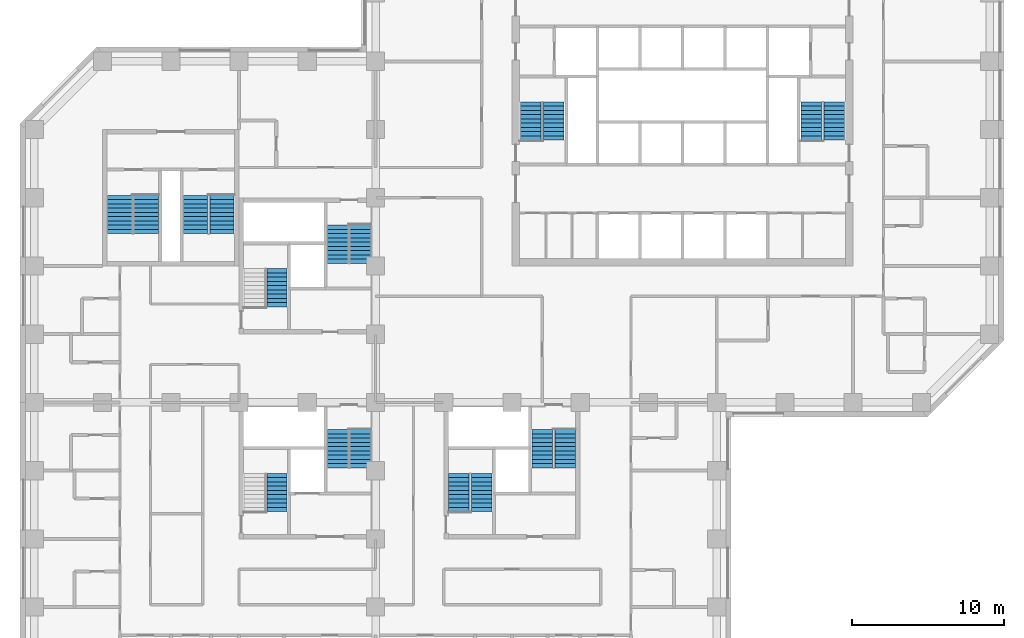
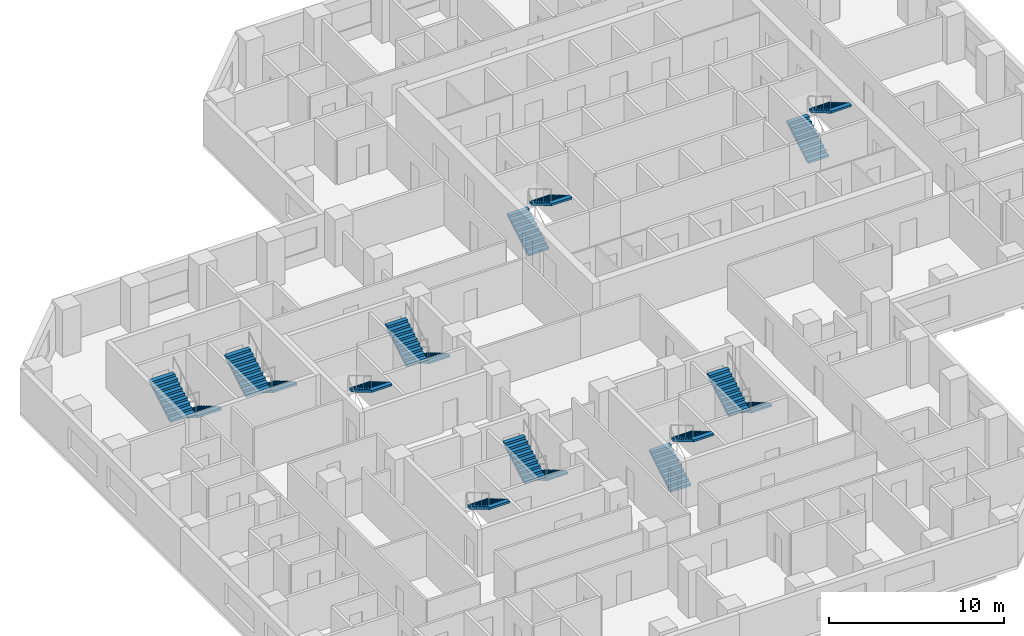
# One storey, part 11 of 12: 18 stair flights, 10 elements without a shape of their own.
"""IFC4 building model written with IfcOpenShell, lengths in metres."""

from ifc_helpers import new_model, si_unit, direction, frame, origin, place, context, subcontext, project, spatial, polyline, outline, extrude, material, type_object, element, aggregate, save


model = new_model("IFC4")

# Units and contexts
model_context = context("Model", 3, precision=1e-05, world=origin(), true_north=direction((0.0, 1.0)))
body_context = subcontext(model_context, "Body", "Model", "MODEL_VIEW")
ifc_project = project(units=[si_unit("LENGTHUNIT", "METRE"), si_unit("AREAUNIT", "SQUARE_METRE"), si_unit("VOLUMEUNIT", "CUBIC_METRE"), si_unit("PLANEANGLEUNIT", "RADIAN"), si_unit("MASSUNIT", "GRAM", prefix="KILO")], contexts=[model_context])

# Site, building, storey
site_placement = place(None, origin())
site = spatial("IfcSite", under=ifc_project, at=site_placement, CompositionType="ELEMENT")
building_placement = place(site_placement, origin())
building = spatial("IfcBuilding", under=site, at=building_placement, Name="Quoin Convention Tower", CompositionType="ELEMENT")
storey_placement = place(building_placement, frame((0.0, 0.0, 56.10009765625)))
storey = spatial("IfcBuildingStorey", under=building, at=storey_placement, Name="L14", CompositionType="ELEMENT", Elevation=56.10009765625)

# Stair, stair flights
ifc_material = material(Name="Concrete C40", Category="concrete")
stair_type_1 = type_object("IfcStairType", Name="Exit stair two-flight 1350", PredefinedType="HALF_TURN_STAIR", material=ifc_material)
stair_1_placement = place(storey_placement, origin())
stair_1 = element("IfcStair", 1, at=stair_1_placement, inside=storey, type_object=stair_type_1, Name="SD1 L14", PredefinedType="HALF_TURN_STAIR")
stair_flight_type_1 = type_object("IfcStairFlightType", Name="Stair flight 1350", PredefinedType="STRAIGHT", material=ifc_material)
stair_flight_1_placement = place(storey_placement, frame((46.25, 57.800048828125, 0.0), z_axis=(0.0, 0.0, 1.0), x_axis=(0.0, 1.0, 0.0)))
stair_flight_1 = element("IfcStairFlight", 2, at=stair_flight_1_placement, type_object=stair_flight_type_1, Name="ST1 flight 1", NumberOfRisers=10, NumberOfTreads=9, PredefinedType="STRAIGHT", RiserHeight=0.165, TreadLength=0.28, context=body_context, shape_type="SweptSolid", body=[
    extrude(outline(polyline([(0.0, 0.0), (0.0, 0.1650390625), (0.280029296875, 0.1650390625), (0.280029296875, 0.330078125), (0.56005859375, 0.330078125), (0.56005859375, 0.4951171875), (0.840087890625, 0.4951171875), (0.840087890625, 0.659912109375), (1.1201171875, 0.659912109375), (1.1201171875, 0.824951171875), (1.39990234375, 0.824951171875), (1.39990234375, 0.989990234375), (1.679931640625, 0.989990234375), (1.679931640625, 1.155029296875), (1.9599609375, 1.155029296875), (1.9599609375, 1.320068359375), (2.239990234375, 1.320068359375), (2.239990234375, 1.485107421875), (2.52001953125, 1.485107421875), (2.52001953125, 1.64990234375), (2.52001953125, 1.345458984375), (0.236572265625, 0.0), (0.0, 0.0)])), frame((0.0, 0.675048828125, 0.0), z_axis=(0.0, -1.0, 0.0), x_axis=(1.0, 0.0, 0.0)), (0.0, 0.0, 1.0), 1.35009765625),
])
stair_flight_2_placement = place(storey_placement, frame((47.75, 60.320068359375, 1.64990234375), z_axis=(0.0, 0.0, 1.0), x_axis=(0.0, -1.0, 0.0)))
stair_flight_2 = element("IfcStairFlight", 3, at=stair_flight_2_placement, type_object=stair_flight_type_1, Name="ST1 flight 2", NumberOfRisers=10, NumberOfTreads=9, PredefinedType="STRAIGHT", RiserHeight=0.165, TreadLength=0.28, context=body_context, shape_type="SweptSolid", body=[
    extrude(outline(polyline([(0.0, 0.0), (0.0, 0.1650390625), (0.280029296875, 0.1650390625), (0.280029296875, 0.330078125), (0.56005859375, 0.330078125), (0.56005859375, 0.4951171875), (0.840087890625, 0.4951171875), (0.840087890625, 0.659912109375), (1.1201171875, 0.659912109375), (1.1201171875, 0.824951171875), (1.39990234375, 0.824951171875), (1.39990234375, 0.989990234375), (1.679931640625, 0.989990234375), (1.679931640625, 1.155029296875), (1.9599609375, 1.155029296875), (1.9599609375, 1.320068359375), (2.239990234375, 1.320068359375), (2.239990234375, 1.485107421875), (2.52001953125, 1.485107421875), (2.52001953125, 1.64990234375), (2.52001953125, 1.345458984375), (0.236572265625, 0.0), (0.0, 0.0)])), frame((0.0, 0.675048828125, 0.0), z_axis=(0.0, -1.0, 0.0), x_axis=(1.0, 0.0, 0.0)), (0.0, 0.0, 1.0), 1.35009765625),
])
aggregate(stair_1, [stair_flight_1, stair_flight_2])

stair_2_placement = place(storey_placement, origin())
stair_2 = element("IfcStair", 4, at=stair_2_placement, inside=storey, type_object=stair_type_1, Name="SD2 L14", PredefinedType="HALF_TURN_STAIR")
stair_flight_3_placement = place(storey_placement, frame((64.75, 57.800048828125, 0.0), z_axis=(0.0, 0.0, 1.0), x_axis=(0.0, 1.0, 0.0)))
stair_flight_3 = element("IfcStairFlight", 5, at=stair_flight_3_placement, type_object=stair_flight_type_1, Name="ST2 flight 1", NumberOfRisers=10, NumberOfTreads=9, PredefinedType="STRAIGHT", RiserHeight=0.165, TreadLength=0.28, context=body_context, shape_type="SweptSolid", body=[
    extrude(outline(polyline([(0.0, 0.0), (0.0, 0.1650390625), (0.280029296875, 0.1650390625), (0.280029296875, 0.330078125), (0.56005859375, 0.330078125), (0.56005859375, 0.4951171875), (0.840087890625, 0.4951171875), (0.840087890625, 0.659912109375), (1.1201171875, 0.659912109375), (1.1201171875, 0.824951171875), (1.39990234375, 0.824951171875), (1.39990234375, 0.989990234375), (1.679931640625, 0.989990234375), (1.679931640625, 1.155029296875), (1.9599609375, 1.155029296875), (1.9599609375, 1.320068359375), (2.239990234375, 1.320068359375), (2.239990234375, 1.485107421875), (2.52001953125, 1.485107421875), (2.52001953125, 1.64990234375), (2.52001953125, 1.345458984375), (0.236572265625, 0.0), (0.0, 0.0)])), frame((0.0, 0.675048828125, 0.0), z_axis=(0.0, -1.0, 0.0), x_axis=(1.0, 0.0, 0.0)), (0.0, 0.0, 1.0), 1.35009765625),
])
stair_flight_4_placement = place(storey_placement, frame((66.25, 60.320068359375, 1.64990234375), z_axis=(0.0, 0.0, 1.0), x_axis=(0.0, -1.0, 0.0)))
stair_flight_4 = element("IfcStairFlight", 6, at=stair_flight_4_placement, type_object=stair_flight_type_1, Name="ST2 flight 2", NumberOfRisers=10, NumberOfTreads=9, PredefinedType="STRAIGHT", RiserHeight=0.165, TreadLength=0.28, context=body_context, shape_type="SweptSolid", body=[
    extrude(outline(polyline([(0.0, 0.0), (0.0, 0.1650390625), (0.280029296875, 0.1650390625), (0.280029296875, 0.330078125), (0.56005859375, 0.330078125), (0.56005859375, 0.4951171875), (0.840087890625, 0.4951171875), (0.840087890625, 0.659912109375), (1.1201171875, 0.659912109375), (1.1201171875, 0.824951171875), (1.39990234375, 0.824951171875), (1.39990234375, 0.989990234375), (1.679931640625, 0.989990234375), (1.679931640625, 1.155029296875), (1.9599609375, 1.155029296875), (1.9599609375, 1.320068359375), (2.239990234375, 1.320068359375), (2.239990234375, 1.485107421875), (2.52001953125, 1.485107421875), (2.52001953125, 1.64990234375), (2.52001953125, 1.345458984375), (0.236572265625, 0.0), (0.0, 0.0)])), frame((0.0, 0.675048828125, 0.0), z_axis=(0.0, -1.0, 0.0), x_axis=(1.0, 0.0, 0.0)), (0.0, 0.0, 1.0), 1.35009765625),
])
aggregate(stair_2, [stair_flight_3, stair_flight_4])

# Stair, stair flight
stair_3_placement = place(storey_placement, origin())
stair_3 = element("IfcStair", 7, at=stair_3_placement, inside=storey, type_object=stair_type_1, Name="SD3 L14", PredefinedType="HALF_TURN_STAIR")
stair_flight_5_placement = place(storey_placement, frame((29.5, 49.320068359375, 1.64990234375), z_axis=(0.0, 0.0, 1.0), x_axis=(0.0, -1.0, 0.0)))
stair_flight_5 = element("IfcStairFlight", 8, at=stair_flight_5_placement, type_object=stair_flight_type_1, Name="ST3 flight 2", NumberOfRisers=10, NumberOfTreads=9, PredefinedType="STRAIGHT", RiserHeight=0.165, TreadLength=0.28, context=body_context, shape_type="SweptSolid", body=[
    extrude(outline(polyline([(0.0, 0.0), (0.0, 0.1650390625), (0.280029296875, 0.1650390625), (0.280029296875, 0.330078125), (0.56005859375, 0.330078125), (0.56005859375, 0.4951171875), (0.840087890625, 0.4951171875), (0.840087890625, 0.659912109375), (1.1201171875, 0.659912109375), (1.1201171875, 0.824951171875), (1.39990234375, 0.824951171875), (1.39990234375, 0.989990234375), (1.679931640625, 0.989990234375), (1.679931640625, 1.155029296875), (1.9599609375, 1.155029296875), (1.9599609375, 1.320068359375), (2.239990234375, 1.320068359375), (2.239990234375, 1.485107421875), (2.52001953125, 1.485107421875), (2.52001953125, 1.64990234375), (2.52001953125, 1.345458984375), (0.236572265625, 0.0), (0.0, 0.0)])), frame((0.0, 0.675048828125, 0.0), z_axis=(0.0, -1.0, 0.0), x_axis=(1.0, 0.0, 0.0)), (0.0, 0.0, 1.0), 1.35009765625),
])
aggregate(stair_3, [stair_flight_5])

# Stair, stair flights
stair_4_placement = place(storey_placement, origin())
stair_4 = element("IfcStair", 9, at=stair_4_placement, inside=storey, type_object=stair_type_1, Name="SD4 L14", PredefinedType="HALF_TURN_STAIR")
stair_flight_6_placement = place(storey_placement, frame((35.0, 52.199951171875, 0.0), z_axis=(0.0, 0.0, 1.0), x_axis=(0.0, -1.0, 0.0)))
stair_flight_6 = element("IfcStairFlight", 10, at=stair_flight_6_placement, type_object=stair_flight_type_1, Name="ST4 flight 1", NumberOfRisers=10, NumberOfTreads=9, PredefinedType="STRAIGHT", RiserHeight=0.165, TreadLength=0.28, context=body_context, shape_type="SweptSolid", body=[
    extrude(outline(polyline([(0.0, 0.0), (0.0, 0.1650390625), (0.280029296875, 0.1650390625), (0.280029296875, 0.330078125), (0.56005859375, 0.330078125), (0.56005859375, 0.4951171875), (0.840087890625, 0.4951171875), (0.840087890625, 0.659912109375), (1.1201171875, 0.659912109375), (1.1201171875, 0.824951171875), (1.39990234375, 0.824951171875), (1.39990234375, 0.989990234375), (1.679931640625, 0.989990234375), (1.679931640625, 1.155029296875), (1.9599609375, 1.155029296875), (1.9599609375, 1.320068359375), (2.239990234375, 1.320068359375), (2.239990234375, 1.485107421875), (2.52001953125, 1.485107421875), (2.52001953125, 1.64990234375), (2.52001953125, 1.345458984375), (0.236572265625, 0.0), (0.0, 0.0)])), frame((0.0, 0.675048828125, 0.0), z_axis=(0.0, -1.0, 0.0), x_axis=(1.0, 0.0, 0.0)), (0.0, 0.0, 1.0), 1.35009765625),
])
stair_flight_7_placement = place(storey_placement, frame((33.5, 49.679931640625, 1.64990234375), z_axis=(0.0, 0.0, 1.0), x_axis=(0.0, 1.0, 0.0)))
stair_flight_7 = element("IfcStairFlight", 11, at=stair_flight_7_placement, type_object=stair_flight_type_1, Name="ST4 flight 2", NumberOfRisers=10, NumberOfTreads=9, PredefinedType="STRAIGHT", RiserHeight=0.165, TreadLength=0.28, context=body_context, shape_type="SweptSolid", body=[
    extrude(outline(polyline([(0.0, 0.0), (0.0, 0.1650390625), (0.280029296875, 0.1650390625), (0.280029296875, 0.330078125), (0.56005859375, 0.330078125), (0.56005859375, 0.4951171875), (0.840087890625, 0.4951171875), (0.840087890625, 0.659912109375), (1.1201171875, 0.659912109375), (1.1201171875, 0.824951171875), (1.39990234375, 0.824951171875), (1.39990234375, 0.989990234375), (1.679931640625, 0.989990234375), (1.679931640625, 1.155029296875), (1.9599609375, 1.155029296875), (1.9599609375, 1.320068359375), (2.239990234375, 1.320068359375), (2.239990234375, 1.485107421875), (2.52001953125, 1.485107421875), (2.52001953125, 1.64990234375), (2.52001953125, 1.345458984375), (0.236572265625, 0.0), (0.0, 0.0)])), frame((0.0, 0.675048828125, 0.0), z_axis=(0.0, -1.0, 0.0), x_axis=(1.0, 0.0, 0.0)), (0.0, 0.0, 1.0), 1.35009765625),
])
aggregate(stair_4, [stair_flight_6, stair_flight_7])

stair_5_placement = place(storey_placement, origin())
stair_5 = element("IfcStair", 12, at=stair_5_placement, inside=storey, type_object=stair_type_1, Name="SD5 L14", PredefinedType="HALF_TURN_STAIR")
stair_flight_8_placement = place(storey_placement, frame((41.5, 33.300048828125, 0.0), z_axis=(0.0, 0.0, 1.0), x_axis=(0.0, 1.0, 0.0)))
stair_flight_8 = element("IfcStairFlight", 13, at=stair_flight_8_placement, type_object=stair_flight_type_1, Name="ST5 flight 1", NumberOfRisers=10, NumberOfTreads=9, PredefinedType="STRAIGHT", RiserHeight=0.165, TreadLength=0.28, context=body_context, shape_type="SweptSolid", body=[
    extrude(outline(polyline([(0.0, 0.0), (0.0, 0.1650390625), (0.280029296875, 0.1650390625), (0.280029296875, 0.330078125), (0.56005859375, 0.330078125), (0.56005859375, 0.4951171875), (0.840087890625, 0.4951171875), (0.840087890625, 0.659912109375), (1.1201171875, 0.659912109375), (1.1201171875, 0.824951171875), (1.39990234375, 0.824951171875), (1.39990234375, 0.989990234375), (1.679931640625, 0.989990234375), (1.679931640625, 1.155029296875), (1.9599609375, 1.155029296875), (1.9599609375, 1.320068359375), (2.239990234375, 1.320068359375), (2.239990234375, 1.485107421875), (2.52001953125, 1.485107421875), (2.52001953125, 1.64990234375), (2.52001953125, 1.345458984375), (0.236572265625, 0.0), (0.0, 0.0)])), frame((0.0, 0.675048828125, 0.0), z_axis=(0.0, -1.0, 0.0), x_axis=(1.0, 0.0, 0.0)), (0.0, 0.0, 1.0), 1.35009765625),
])
stair_flight_9_placement = place(storey_placement, frame((43.0, 35.820068359375, 1.64990234375), z_axis=(0.0, 0.0, 1.0), x_axis=(0.0, -1.0, 0.0)))
stair_flight_9 = element("IfcStairFlight", 14, at=stair_flight_9_placement, type_object=stair_flight_type_1, Name="ST5 flight 2", NumberOfRisers=10, NumberOfTreads=9, PredefinedType="STRAIGHT", RiserHeight=0.165, TreadLength=0.28, context=body_context, shape_type="SweptSolid", body=[
    extrude(outline(polyline([(0.0, 0.0), (0.0, 0.1650390625), (0.280029296875, 0.1650390625), (0.280029296875, 0.330078125), (0.56005859375, 0.330078125), (0.56005859375, 0.4951171875), (0.840087890625, 0.4951171875), (0.840087890625, 0.659912109375), (1.1201171875, 0.659912109375), (1.1201171875, 0.824951171875), (1.39990234375, 0.824951171875), (1.39990234375, 0.989990234375), (1.679931640625, 0.989990234375), (1.679931640625, 1.155029296875), (1.9599609375, 1.155029296875), (1.9599609375, 1.320068359375), (2.239990234375, 1.320068359375), (2.239990234375, 1.485107421875), (2.52001953125, 1.485107421875), (2.52001953125, 1.64990234375), (2.52001953125, 1.345458984375), (0.236572265625, 0.0), (0.0, 0.0)])), frame((0.0, 0.675048828125, 0.0), z_axis=(0.0, -1.0, 0.0), x_axis=(1.0, 0.0, 0.0)), (0.0, 0.0, 1.0), 1.35009765625),
])
aggregate(stair_5, [stair_flight_8, stair_flight_9])

stair_6_placement = place(storey_placement, origin())
stair_6 = element("IfcStair", 15, at=stair_6_placement, inside=storey, type_object=stair_type_1, Name="SD6 L14", PredefinedType="HALF_TURN_STAIR")
stair_flight_10_placement = place(storey_placement, frame((48.5, 38.699951171875, 0.0), z_axis=(0.0, 0.0, 1.0), x_axis=(0.0, -1.0, 0.0)))
stair_flight_10 = element("IfcStairFlight", 16, at=stair_flight_10_placement, type_object=stair_flight_type_1, Name="ST6 flight 1", NumberOfRisers=10, NumberOfTreads=9, PredefinedType="STRAIGHT", RiserHeight=0.165, TreadLength=0.28, context=body_context, shape_type="SweptSolid", body=[
    extrude(outline(polyline([(0.0, 0.0), (0.0, 0.1650390625), (0.280029296875, 0.1650390625), (0.280029296875, 0.330078125), (0.56005859375, 0.330078125), (0.56005859375, 0.4951171875), (0.840087890625, 0.4951171875), (0.840087890625, 0.659912109375), (1.1201171875, 0.659912109375), (1.1201171875, 0.824951171875), (1.39990234375, 0.824951171875), (1.39990234375, 0.989990234375), (1.679931640625, 0.989990234375), (1.679931640625, 1.155029296875), (1.9599609375, 1.155029296875), (1.9599609375, 1.320068359375), (2.239990234375, 1.320068359375), (2.239990234375, 1.485107421875), (2.52001953125, 1.485107421875), (2.52001953125, 1.64990234375), (2.52001953125, 1.345458984375), (0.236572265625, 0.0), (0.0, 0.0)])), frame((0.0, 0.675048828125, 0.0), z_axis=(0.0, -1.0, 0.0), x_axis=(1.0, 0.0, 0.0)), (0.0, 0.0, 1.0), 1.35009765625),
])
stair_flight_11_placement = place(storey_placement, frame((47.0, 36.179931640625, 1.64990234375), z_axis=(0.0, 0.0, 1.0), x_axis=(0.0, 1.0, 0.0)))
stair_flight_11 = element("IfcStairFlight", 17, at=stair_flight_11_placement, type_object=stair_flight_type_1, Name="ST6 flight 2", NumberOfRisers=10, NumberOfTreads=9, PredefinedType="STRAIGHT", RiserHeight=0.165, TreadLength=0.28, context=body_context, shape_type="SweptSolid", body=[
    extrude(outline(polyline([(0.0, 0.0), (0.0, 0.1650390625), (0.280029296875, 0.1650390625), (0.280029296875, 0.330078125), (0.56005859375, 0.330078125), (0.56005859375, 0.4951171875), (0.840087890625, 0.4951171875), (0.840087890625, 0.659912109375), (1.1201171875, 0.659912109375), (1.1201171875, 0.824951171875), (1.39990234375, 0.824951171875), (1.39990234375, 0.989990234375), (1.679931640625, 0.989990234375), (1.679931640625, 1.155029296875), (1.9599609375, 1.155029296875), (1.9599609375, 1.320068359375), (2.239990234375, 1.320068359375), (2.239990234375, 1.485107421875), (2.52001953125, 1.485107421875), (2.52001953125, 1.64990234375), (2.52001953125, 1.345458984375), (0.236572265625, 0.0), (0.0, 0.0)])), frame((0.0, 0.675048828125, 0.0), z_axis=(0.0, -1.0, 0.0), x_axis=(1.0, 0.0, 0.0)), (0.0, 0.0, 1.0), 1.35009765625),
])
aggregate(stair_6, [stair_flight_10, stair_flight_11])

# Stair, stair flight
stair_7_placement = place(storey_placement, origin())
stair_7 = element("IfcStair", 18, at=stair_7_placement, inside=storey, type_object=stair_type_1, Name="SD7 L14", PredefinedType="HALF_TURN_STAIR")
stair_flight_12_placement = place(storey_placement, frame((29.5, 35.820068359375, 1.64990234375), z_axis=(0.0, 0.0, 1.0), x_axis=(0.0, -1.0, 0.0)))
stair_flight_12 = element("IfcStairFlight", 19, at=stair_flight_12_placement, type_object=stair_flight_type_1, Name="ST7 flight 2", NumberOfRisers=10, NumberOfTreads=9, PredefinedType="STRAIGHT", RiserHeight=0.165, TreadLength=0.28, context=body_context, shape_type="SweptSolid", body=[
    extrude(outline(polyline([(0.0, 0.0), (0.0, 0.1650390625), (0.280029296875, 0.1650390625), (0.280029296875, 0.330078125), (0.56005859375, 0.330078125), (0.56005859375, 0.4951171875), (0.840087890625, 0.4951171875), (0.840087890625, 0.659912109375), (1.1201171875, 0.659912109375), (1.1201171875, 0.824951171875), (1.39990234375, 0.824951171875), (1.39990234375, 0.989990234375), (1.679931640625, 0.989990234375), (1.679931640625, 1.155029296875), (1.9599609375, 1.155029296875), (1.9599609375, 1.320068359375), (2.239990234375, 1.320068359375), (2.239990234375, 1.485107421875), (2.52001953125, 1.485107421875), (2.52001953125, 1.64990234375), (2.52001953125, 1.345458984375), (0.236572265625, 0.0), (0.0, 0.0)])), frame((0.0, 0.675048828125, 0.0), z_axis=(0.0, -1.0, 0.0), x_axis=(1.0, 0.0, 0.0)), (0.0, 0.0, 1.0), 1.35009765625),
])
aggregate(stair_7, [stair_flight_12])

# Stair, stair flights
stair_8_placement = place(storey_placement, origin())
stair_8 = element("IfcStair", 20, at=stair_8_placement, inside=storey, type_object=stair_type_1, Name="SD8 L14", PredefinedType="HALF_TURN_STAIR")
stair_flight_13_placement = place(storey_placement, frame((35.0, 38.699951171875, 0.0), z_axis=(0.0, 0.0, 1.0), x_axis=(0.0, -1.0, 0.0)))
stair_flight_13 = element("IfcStairFlight", 21, at=stair_flight_13_placement, type_object=stair_flight_type_1, Name="ST8 flight 1", NumberOfRisers=10, NumberOfTreads=9, PredefinedType="STRAIGHT", RiserHeight=0.165, TreadLength=0.28, context=body_context, shape_type="SweptSolid", body=[
    extrude(outline(polyline([(0.0, 0.0), (0.0, 0.1650390625), (0.280029296875, 0.1650390625), (0.280029296875, 0.330078125), (0.56005859375, 0.330078125), (0.56005859375, 0.4951171875), (0.840087890625, 0.4951171875), (0.840087890625, 0.659912109375), (1.1201171875, 0.659912109375), (1.1201171875, 0.824951171875), (1.39990234375, 0.824951171875), (1.39990234375, 0.989990234375), (1.679931640625, 0.989990234375), (1.679931640625, 1.155029296875), (1.9599609375, 1.155029296875), (1.9599609375, 1.320068359375), (2.239990234375, 1.320068359375), (2.239990234375, 1.485107421875), (2.52001953125, 1.485107421875), (2.52001953125, 1.64990234375), (2.52001953125, 1.345458984375), (0.236572265625, 0.0), (0.0, 0.0)])), frame((0.0, 0.675048828125, 0.0), z_axis=(0.0, -1.0, 0.0), x_axis=(1.0, 0.0, 0.0)), (0.0, 0.0, 1.0), 1.35009765625),
])
stair_flight_14_placement = place(storey_placement, frame((33.5, 36.179931640625, 1.64990234375), z_axis=(0.0, 0.0, 1.0), x_axis=(0.0, 1.0, 0.0)))
stair_flight_14 = element("IfcStairFlight", 22, at=stair_flight_14_placement, type_object=stair_flight_type_1, Name="ST8 flight 2", NumberOfRisers=10, NumberOfTreads=9, PredefinedType="STRAIGHT", RiserHeight=0.165, TreadLength=0.28, context=body_context, shape_type="SweptSolid", body=[
    extrude(outline(polyline([(0.0, 0.0), (0.0, 0.1650390625), (0.280029296875, 0.1650390625), (0.280029296875, 0.330078125), (0.56005859375, 0.330078125), (0.56005859375, 0.4951171875), (0.840087890625, 0.4951171875), (0.840087890625, 0.659912109375), (1.1201171875, 0.659912109375), (1.1201171875, 0.824951171875), (1.39990234375, 0.824951171875), (1.39990234375, 0.989990234375), (1.679931640625, 0.989990234375), (1.679931640625, 1.155029296875), (1.9599609375, 1.155029296875), (1.9599609375, 1.320068359375), (2.239990234375, 1.320068359375), (2.239990234375, 1.485107421875), (2.52001953125, 1.485107421875), (2.52001953125, 1.64990234375), (2.52001953125, 1.345458984375), (0.236572265625, 0.0), (0.0, 0.0)])), frame((0.0, 0.675048828125, 0.0), z_axis=(0.0, -1.0, 0.0), x_axis=(1.0, 0.0, 0.0)), (0.0, 0.0, 1.0), 1.35009765625),
])
aggregate(stair_8, [stair_flight_13, stair_flight_14])

stair_type_2 = type_object("IfcStairType", Name="Exit stair two-flight 1600", PredefinedType="HALF_TURN_STAIR", material=ifc_material)
stair_9_placement = place(storey_placement, origin())
stair_9 = element("IfcStair", 23, at=stair_9_placement, inside=storey, type_object=stair_type_2, Name="SD11 L14", PredefinedType="HALF_TURN_STAIR")
stair_flight_type_2 = type_object("IfcStairFlightType", Name="Stair flight 1600", PredefinedType="STRAIGHT", material=ifc_material)
stair_flight_15_placement = place(storey_placement, frame((20.875, 54.14990234375, 0.0), z_axis=(0.0, 0.0, 1.0), x_axis=(0.0, -1.0, 0.0)))
stair_flight_15 = element("IfcStairFlight", 24, at=stair_flight_15_placement, type_object=stair_flight_type_2, Name="ST11 flight 1", NumberOfRisers=10, NumberOfTreads=9, PredefinedType="STRAIGHT", RiserHeight=0.165, TreadLength=0.28, context=body_context, shape_type="SweptSolid", body=[
    extrude(outline(polyline([(0.0, 0.0), (0.0, 0.1650390625), (0.280029296875, 0.1650390625), (0.280029296875, 0.330078125), (0.56005859375, 0.330078125), (0.56005859375, 0.4951171875), (0.840087890625, 0.4951171875), (0.840087890625, 0.659912109375), (1.1201171875, 0.659912109375), (1.1201171875, 0.824951171875), (1.39990234375, 0.824951171875), (1.39990234375, 0.989990234375), (1.679931640625, 0.989990234375), (1.679931640625, 1.155029296875), (1.9599609375, 1.155029296875), (1.9599609375, 1.320068359375), (2.239990234375, 1.320068359375), (2.239990234375, 1.485107421875), (2.52001953125, 1.485107421875), (2.52001953125, 1.64990234375), (2.52001953125, 1.345458984375), (0.236572265625, 0.0), (0.0, 0.0)])), frame((0.0, 0.800048828125, 0.0), z_axis=(0.0, -1.0, 0.0), x_axis=(1.0, 0.0, 0.0)), (0.0, 0.0, 1.0), 1.60009765625),
])
stair_flight_16_placement = place(storey_placement, frame((19.125, 51.6298828125, 1.64990234375), z_axis=(0.0, 0.0, 1.0), x_axis=(0.0, 1.0, 0.0)))
stair_flight_16 = element("IfcStairFlight", 25, at=stair_flight_16_placement, type_object=stair_flight_type_2, Name="ST11 flight 2", NumberOfRisers=10, NumberOfTreads=9, PredefinedType="STRAIGHT", RiserHeight=0.165, TreadLength=0.28, context=body_context, shape_type="SweptSolid", body=[
    extrude(outline(polyline([(0.0, 0.0), (0.0, 0.1650390625), (0.280029296875, 0.1650390625), (0.280029296875, 0.330078125), (0.56005859375, 0.330078125), (0.56005859375, 0.4951171875), (0.840087890625, 0.4951171875), (0.840087890625, 0.659912109375), (1.1201171875, 0.659912109375), (1.1201171875, 0.824951171875), (1.39990234375, 0.824951171875), (1.39990234375, 0.989990234375), (1.679931640625, 0.989990234375), (1.679931640625, 1.155029296875), (1.9599609375, 1.155029296875), (1.9599609375, 1.320068359375), (2.239990234375, 1.320068359375), (2.239990234375, 1.485107421875), (2.52001953125, 1.485107421875), (2.52001953125, 1.64990234375), (2.52001953125, 1.345458984375), (0.236572265625, 0.0), (0.0, 0.0)])), frame((0.0, 0.800048828125, 0.0), z_axis=(0.0, -1.0, 0.0), x_axis=(1.0, 0.0, 0.0)), (0.0, 0.0, 1.0), 1.60009765625),
])
aggregate(stair_9, [stair_flight_15, stair_flight_16])

stair_10_placement = place(storey_placement, origin())
stair_10 = element("IfcStair", 26, at=stair_10_placement, inside=storey, type_object=stair_type_2, Name="SD12 L14", PredefinedType="HALF_TURN_STAIR")
stair_flight_17_placement = place(storey_placement, frame((25.875, 54.14990234375, 0.0), z_axis=(0.0, 0.0, 1.0), x_axis=(0.0, -1.0, 0.0)))
stair_flight_17 = element("IfcStairFlight", 27, at=stair_flight_17_placement, type_object=stair_flight_type_2, Name="ST12 flight 1", NumberOfRisers=10, NumberOfTreads=9, PredefinedType="STRAIGHT", RiserHeight=0.165, TreadLength=0.28, context=body_context, shape_type="SweptSolid", body=[
    extrude(outline(polyline([(0.0, 0.0), (0.0, 0.1650390625), (0.280029296875, 0.1650390625), (0.280029296875, 0.330078125), (0.56005859375, 0.330078125), (0.56005859375, 0.4951171875), (0.840087890625, 0.4951171875), (0.840087890625, 0.659912109375), (1.1201171875, 0.659912109375), (1.1201171875, 0.824951171875), (1.39990234375, 0.824951171875), (1.39990234375, 0.989990234375), (1.679931640625, 0.989990234375), (1.679931640625, 1.155029296875), (1.9599609375, 1.155029296875), (1.9599609375, 1.320068359375), (2.239990234375, 1.320068359375), (2.239990234375, 1.485107421875), (2.52001953125, 1.485107421875), (2.52001953125, 1.64990234375), (2.52001953125, 1.345458984375), (0.236572265625, 0.0), (0.0, 0.0)])), frame((0.0, 0.800048828125, 0.0), z_axis=(0.0, -1.0, 0.0), x_axis=(1.0, 0.0, 0.0)), (0.0, 0.0, 1.0), 1.60009765625),
])
stair_flight_18_placement = place(storey_placement, frame((24.125, 51.6298828125, 1.64990234375), z_axis=(0.0, 0.0, 1.0), x_axis=(0.0, 1.0, 0.0)))
stair_flight_18 = element("IfcStairFlight", 28, at=stair_flight_18_placement, type_object=stair_flight_type_2, Name="ST12 flight 2", NumberOfRisers=10, NumberOfTreads=9, PredefinedType="STRAIGHT", RiserHeight=0.165, TreadLength=0.28, context=body_context, shape_type="SweptSolid", body=[
    extrude(outline(polyline([(0.0, 0.0), (0.0, 0.1650390625), (0.280029296875, 0.1650390625), (0.280029296875, 0.330078125), (0.56005859375, 0.330078125), (0.56005859375, 0.4951171875), (0.840087890625, 0.4951171875), (0.840087890625, 0.659912109375), (1.1201171875, 0.659912109375), (1.1201171875, 0.824951171875), (1.39990234375, 0.824951171875), (1.39990234375, 0.989990234375), (1.679931640625, 0.989990234375), (1.679931640625, 1.155029296875), (1.9599609375, 1.155029296875), (1.9599609375, 1.320068359375), (2.239990234375, 1.320068359375), (2.239990234375, 1.485107421875), (2.52001953125, 1.485107421875), (2.52001953125, 1.64990234375), (2.52001953125, 1.345458984375), (0.236572265625, 0.0), (0.0, 0.0)])), frame((0.0, 0.800048828125, 0.0), z_axis=(0.0, -1.0, 0.0), x_axis=(1.0, 0.0, 0.0)), (0.0, 0.0, 1.0), 1.60009765625),
])
aggregate(stair_10, [stair_flight_17, stair_flight_18])

save(model, "model.ifc")
